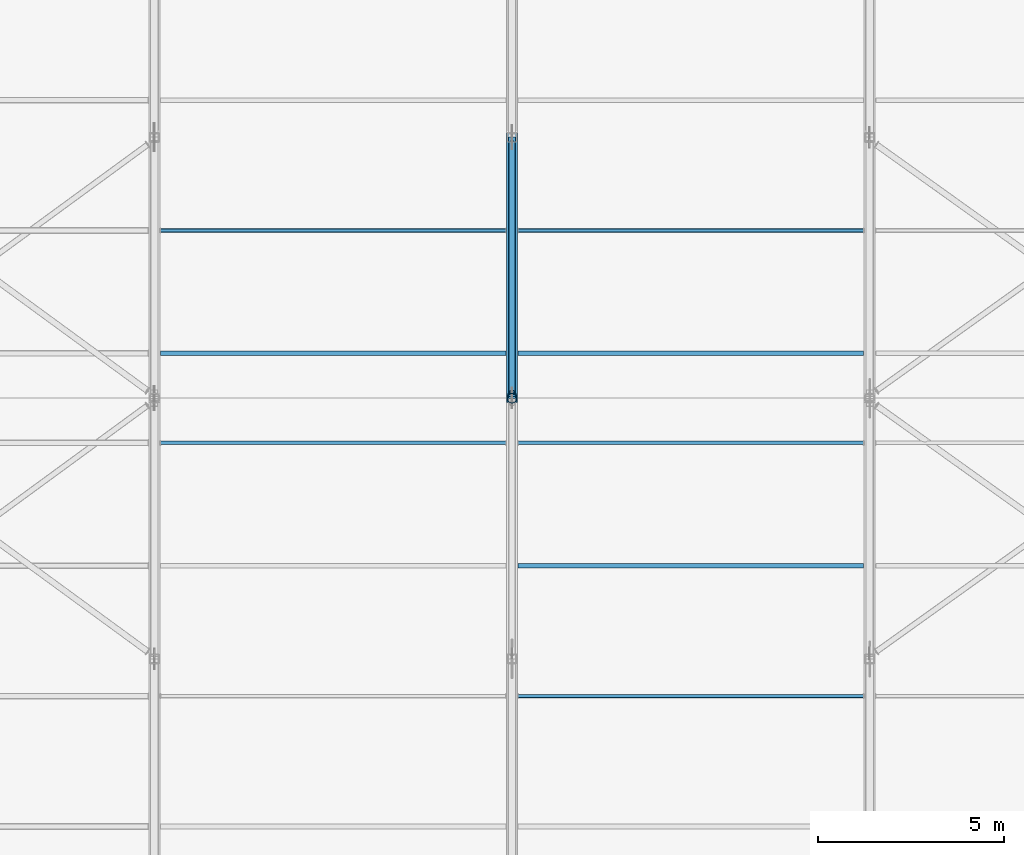
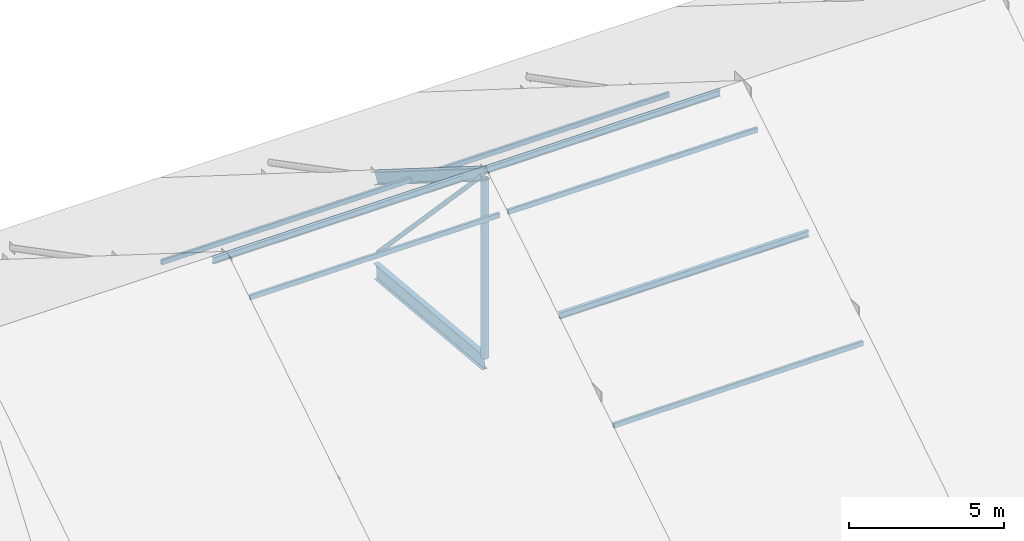
# One storey, part 4 of 66: 11 members, 1 beam.
"""IFC4 building model written with IfcOpenShell, lengths in metres."""

from ifc_helpers import new_model, si_unit, direction, frame, origin, origin_2d, place, context, subcontext, project, spatial, hollow_rectangle, hollow_circle, i_section, extrude, material, material_profile, profile_set, type_object, element, save


model = new_model("IFC4")

# Units and contexts
model_context = context("Model", 3, precision=1e-05, world=origin(), true_north=direction((0.0, 1.0)))
body_context = subcontext(model_context, "Body", "Model", "MODEL_VIEW")
ifc_project = project(units=[si_unit("LENGTHUNIT", "METRE"), si_unit("AREAUNIT", "SQUARE_METRE"), si_unit("VOLUMEUNIT", "CUBIC_METRE"), si_unit("PLANEANGLEUNIT", "RADIAN"), si_unit("MASSUNIT", "GRAM", prefix="KILO")], contexts=[model_context])

# Site, building, storey
site_placement = place(None, origin())
site = spatial("IfcSite", under=ifc_project, at=site_placement, CompositionType="ELEMENT")
building_placement = place(site_placement, origin())
building = spatial("IfcBuilding", under=site, at=building_placement, Name="Yeouljin Market Hall", CompositionType="ELEMENT")
storey_placement = place(building_placement, frame((0.0, 0.0, 23.39990234375)))
storey = spatial("IfcBuildingStorey", under=building, at=storey_placement, Name="RF", CompositionType="ELEMENT", Elevation=23.39990234375)

# Beam
ifc_material_1 = material(Name="Steel SM355", Category="steel")
ifc_material_profile_1 = material_profile(ifc_material_1, i_section(OverallWidth=0.199951171875, OverallDepth=0.60009765625, WebThickness=0.010986328125, FlangeThickness=0.01708984375, FilletRadius=0.02197265625, at=origin_2d()), Name="H-600x200x11x17")
ifc_profile_set_1 = profile_set([ifc_material_profile_1], Name="Steel SM355")
beam_type = type_object("IfcBeamType", Name="Beam_H-600x200x11x17", PredefinedType="BEAM", material=ifc_profile_set_1)
beam_placement = place(storey_placement, frame((54.60009765625, 57.02001953125, -6.5), z_axis=(0.0, 0.995742692808, -0.092176405441), x_axis=(-1.0, 0.0, 0.0)))
element("IfcBeam", 1, at=beam_placement, inside=storey, type_object=beam_type, Name="Truss AT-03 arch rib 4", PredefinedType="BEAM", context=body_context, shape_type="SweptSolid", body=[
    extrude(i_section(OverallWidth=0.199951171875, OverallDepth=0.60009765625, WebThickness=0.010986328125, FlangeThickness=0.01708984375, FilletRadius=0.02197265625, at=origin_2d()), origin(), (0.0, 0.0, 1.0), 6.98974609375),
])

# Members
ifc_material_2 = material(Name="Steel SS275", Category="steel")
ifc_material_profile_2 = material_profile(ifc_material_2, hollow_circle(Radius=0.08251953125, WallThickness=0.006103515625, at=origin_2d()), Name="CHS-165.2x6")
ifc_profile_set_2 = profile_set([ifc_material_profile_2], Name="Steel SS275")
member_type_1 = type_object("IfcMemberType", Name="Brace_CHS-165.2x6", PredefinedType="BRACE", material=ifc_profile_set_2)
member_1_placement = place(storey_placement, frame((54.60009765625, 57.151123046875, 0.740234375), z_axis=(0.0, 0.687208071692, -0.726460643257), x_axis=(-1.0, 0.0, 0.0)))
element("IfcMember", 2, at=member_1_placement, inside=storey, type_object=member_type_1, Name="Truss AT-03 web diagonal 4", PredefinedType="BRACE", context=body_context, shape_type="SweptSolid", body=[
    extrude(hollow_circle(Radius=0.08251953125, WallThickness=0.006103515625, at=origin_2d()), origin(), (0.0, 0.0, 1.0), 9.746337890625),
])
ifc_material_3 = material(Name="Steel SM355", Category="steel")
ifc_material_profile_3 = material_profile(ifc_material_3, i_section(OverallWidth=0.300048828125, OverallDepth=0.43994140625, WebThickness=0.010986328125, FlangeThickness=0.01806640625, FilletRadius=0.02001953125, at=origin_2d()), Name="H-440x300x11x18")
ifc_profile_set_3 = profile_set([ifc_material_profile_3], Name="Steel SM355")
member_type_2 = type_object("IfcMemberType", Name="Chord_H-440x300x11x18", PredefinedType="CHORD", material=ifc_profile_set_3)
member_2_placement = place(storey_placement, frame((54.60009765625, 57.0, 0.900146484375), z_axis=(0.0, 0.846628566691, -0.532184244471), x_axis=(-1.0, 0.0, 0.0)))
element("IfcMember", 3, at=member_2_placement, inside=storey, type_object=member_type_2, Name="Truss AT-03 top chord 4", PredefinedType="CHORD", context=body_context, shape_type="SweptSolid", body=[
    extrude(i_section(OverallWidth=0.300048828125, OverallDepth=0.43994140625, WebThickness=0.010986328125, FlangeThickness=0.01806640625, FilletRadius=0.02001953125, at=origin_2d()), origin(), (0.0, 0.0, 1.0), 8.26806640625),
])
ifc_material_4 = material(Name="Steel SM355", Category="steel")
ifc_material_profile_4 = material_profile(ifc_material_4, i_section(OverallWidth=0.125, OverallDepth=0.25, WebThickness=0.006103515625, FlangeThickness=0.009033203125, FilletRadius=0.011962890625, at=origin_2d()), Name="H-250x125x6x9")
ifc_profile_set_4 = profile_set([ifc_material_profile_4], Name="Steel SM355")
member_type_3 = type_object("IfcMemberType", Name="Purlin_H-250x125x6x9", PredefinedType="PURLIN", material=ifc_profile_set_4)
member_3_placement = place(storey_placement, frame((45.166015625, 58.199951171875, 0.06591796875), z_axis=(1.0, 0.0, 0.0), x_axis=(0.0, 1.0, 0.0)))
element("IfcMember", 4, at=member_3_placement, inside=storey, type_object=member_type_3, Name="Nave roof purlin 019", PredefinedType="PURLIN", context=body_context, shape_type="SweptSolid", body=[
    extrude(i_section(OverallWidth=0.125, OverallDepth=0.25, WebThickness=0.006103515625, FlangeThickness=0.009033203125, FilletRadius=0.011962890625, at=origin_2d()), origin(), (0.0, 0.0, 1.0), 9.26806640625),
])
for number, where, z_axis, x_axis, name in (
    (5, (54.76611328125, 52.5, -2.008544921875), (1.0, 0.0, 0.0), (0.0, 1.0, 0.0), "Nave roof purlin 029"),
    (6, (54.76611328125, 58.199951171875, 0.06591796875), (1.0, 0.0, 0.0), (0.0, 1.0, 0.0), "Nave roof purlin 031"),
):
    element("IfcMember", number, at=place(storey_placement, frame(where, z_axis=z_axis, x_axis=x_axis)), inside=storey, type_object=member_type_3, Name=name, PredefinedType="PURLIN", context=body_context, shape_type="SweptSolid", body=[
        extrude(i_section(OverallWidth=0.125, OverallDepth=0.25, WebThickness=0.006103515625, FlangeThickness=0.009033203125, FilletRadius=0.011962890625, at=origin_2d()), origin(), (0.0, 0.0, 1.0), 9.267822265625),
    ])
ifc_material_5 = material(Name="Steel SS275", Category="steel")
ifc_material_profile_5 = material_profile(ifc_material_5, hollow_rectangle(XDim=0.10009765625, YDim=0.199951171875, WallThickness=0.006103515625, InnerFilletRadius=0.006103515625, OuterFilletRadius=0.011962890625, at=origin_2d()), Name="RHS-200x100x6")
ifc_profile_set_5 = profile_set([ifc_material_profile_5], Name="Steel SS275")
member_type_4 = type_object("IfcMemberType", Name="Purlin_RHS-200x100x6", PredefinedType="PURLIN", material=ifc_profile_set_5)
for number, where, z_axis, x_axis, name in (
    (7, (45.166015625, 55.800048828125, 0.06591796875), (1.0, 0.0, 0.0), (0.0, 1.0, 0.0), "Nave roof purlin 018"),
    (8, (45.166015625, 61.5, -2.008544921875), (1.0, 0.0, 0.0), (0.0, 1.0, 0.0), "Nave roof purlin 020"),
):
    element("IfcMember", number, at=place(storey_placement, frame(where, z_axis=z_axis, x_axis=x_axis)), inside=storey, type_object=member_type_4, Name=name, PredefinedType="PURLIN", context=body_context, shape_type="SweptSolid", body=[
        extrude(hollow_rectangle(XDim=0.10009765625, YDim=0.199951171875, WallThickness=0.006103515625, InnerFilletRadius=0.006103515625, OuterFilletRadius=0.011962890625, at=origin_2d()), origin(), (0.0, 0.0, 1.0), 9.26806640625),
    ])
for number, where, z_axis, x_axis, name in (
    (9, (54.76611328125, 49.0, -4.20849609375), (1.0, 0.0, 0.0), (0.0, 1.0, 0.0), "Nave roof purlin 028"),
    (10, (54.76611328125, 55.800048828125, 0.06591796875), (1.0, 0.0, 0.0), (0.0, 1.0, 0.0), "Nave roof purlin 030"),
    (11, (54.76611328125, 61.5, -2.008544921875), (1.0, 0.0, 0.0), (0.0, 1.0, 0.0), "Nave roof purlin 032"),
):
    element("IfcMember", number, at=place(storey_placement, frame(where, z_axis=z_axis, x_axis=x_axis)), inside=storey, type_object=member_type_4, Name=name, PredefinedType="PURLIN", context=body_context, shape_type="SweptSolid", body=[
        extrude(hollow_rectangle(XDim=0.10009765625, YDim=0.199951171875, WallThickness=0.006103515625, InnerFilletRadius=0.006103515625, OuterFilletRadius=0.011962890625, at=origin_2d()), origin(), (0.0, 0.0, 1.0), 9.267822265625),
    ])
ifc_material_6 = material(Name="Steel SM355", Category="steel")
ifc_material_profile_6 = material_profile(ifc_material_6, hollow_circle(Radius=0.1337890625, WallThickness=0.009033203125, at=origin_2d()), Name="CHS-267.4x9")
ifc_profile_set_6 = profile_set([ifc_material_profile_6], Name="Steel SM355")
member_type_5 = type_object("IfcMemberType", Name="Strut_CHS-267.4x9", PredefinedType="STRUT", material=ifc_profile_set_6)
member_4_placement = place(storey_placement, frame((54.60009765625, 57.0, -6.31982421875), z_axis=(0.0, 0.0, 1.0), x_axis=(1.0, 0.0, 0.0)))
element("IfcMember", 12, at=member_4_placement, inside=storey, type_object=member_type_5, Name="Truss AT-03 vertical strut 3", PredefinedType="STRUT", context=body_context, shape_type="SweptSolid", body=[
    extrude(hollow_circle(Radius=0.1337890625, WallThickness=0.009033203125, at=origin_2d()), origin(), (0.0, 0.0, 1.0), 7.0400390625),
])

save(model, "model.ifc")
